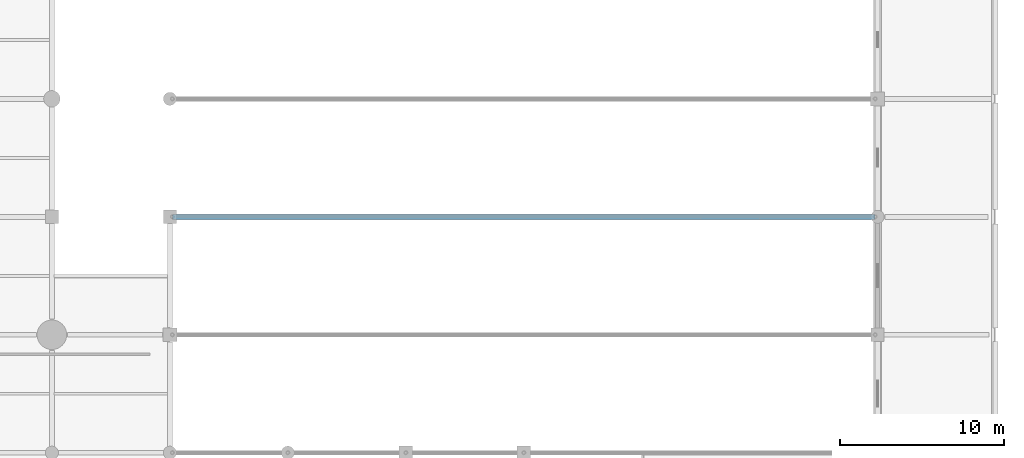
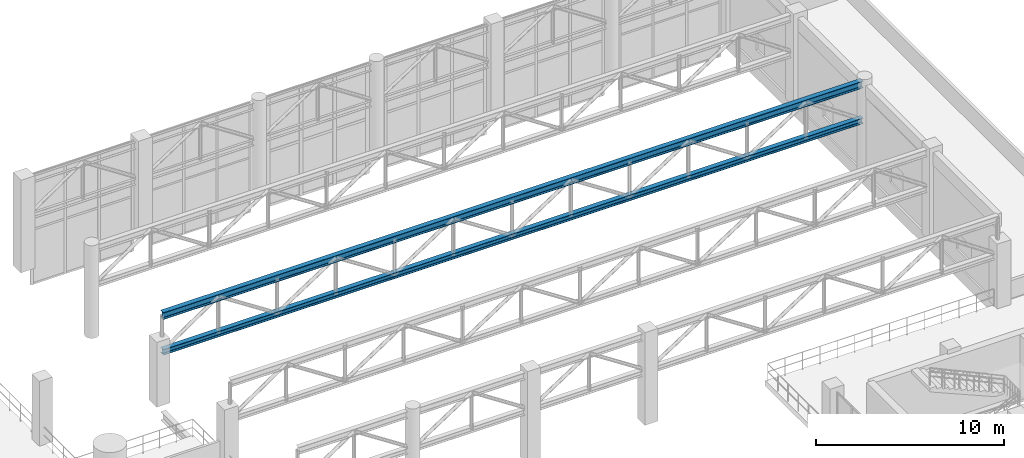
# One storey, part 96 of 153: 2 beams.
"""IFC4 building model written with IfcOpenShell, lengths in metres."""

import ifcopenshell
import ifcopenshell.guid

model = None  # the IFC model being written
_history = None  # IfcOwnerHistory: only IFC2X3 demands one
_inside = {}  # id of a spatial element -> (the spatial element, [elements in it])
_under = {}  # id of a project, library or spatial element -> (it, [spatial elements below it])
_declared = {}  # id of a project -> (the project, [libraries it declares])
_typed = {}  # id of a type object -> (the type object, [elements of that type])
_made_of = {}  # id of a material, layer set ... -> (it, [elements and type objects made of it])


def new_model(schema):
    """Start an empty IFC model of exactly this schema.

    Asked for "IFC4X3", IfcOpenShell would pick the latest addendum, in which some entities
    have other attributes; the version numbers below select the first issue.
    IFC2X3 requires an IfcOwnerHistory on every rooted entity: one is made here for all.
    """
    global model, _history
    if schema == "IFC4X3":
        model = ifcopenshell.file(schema_version=(4, 3, 0, 0))
    else:
        model = ifcopenshell.file(schema=schema)
    _inside.clear()
    _under.clear()
    _declared.clear()
    _typed.clear()
    _made_of.clear()
    _history = None
    if model.schema == "IFC2X3":
        org = make("IfcOrganization", Name="unknown")
        user = make(
            "IfcPersonAndOrganization",
            ThePerson=make("IfcPerson", FamilyName="unknown"),
            TheOrganization=org,
        )
        app = make(
            "IfcApplication",
            ApplicationDeveloper=org,
            Version="unknown",
            ApplicationFullName="unknown",
            ApplicationIdentifier="unknown",
        )
        _history = make(
            "IfcOwnerHistory",
            OwningUser=user,
            OwningApplication=app,
            ChangeAction="ADDED",
            CreationDate=0,
        )
    return model


def make(cls, **values):
    """One entity of the class cls with the attributes given. An attribute that is None is left unset."""
    return model.create_entity(
        cls, **{name: value for name, value in values.items() if value is not None}
    )


def rooted(cls, **values):
    """An entity with a GlobalId (a new one), such as an element, a storey or a relation."""
    return make(cls, GlobalId=ifcopenshell.guid.new(), OwnerHistory=_history, **values)


def si_unit(unit_type, name, prefix=None):
    """IfcSIUnit, for example si_unit("LENGTHUNIT", "METRE", prefix="MILLI")."""
    return make("IfcSIUnit", UnitType=unit_type, Prefix=prefix, Name=name)


def assignment(units):
    """IfcUnitAssignment: the units of a project."""
    return None if units is None else make("IfcUnitAssignment", Units=units)


def point(xyz):
    """IfcCartesianPoint."""
    return None if xyz is None else make("IfcCartesianPoint", Coordinates=xyz)


def direction(xyz):
    """IfcDirection."""
    return None if xyz is None else make("IfcDirection", DirectionRatios=xyz)


def frame(location, z_axis=None, x_axis=None):
    """IfcAxis2Placement3D, a coordinate frame: its origin and axes. An axis left out is left unset."""
    return make(
        "IfcAxis2Placement3D",
        Location=point(location),
        Axis=direction(z_axis),
        RefDirection=direction(x_axis),
    )


def frame_2d(location, x_axis=None):
    """IfcAxis2Placement2D, a coordinate frame in the plane: its origin and x axis."""
    return make(
        "IfcAxis2Placement2D", Location=point(location), RefDirection=direction(x_axis)
    )


def origin():
    """The frame at (0, 0, 0) with its axes left unset."""
    return frame((0.0, 0.0, 0.0))


def origin_2d():
    """The frame at (0, 0) in the plane with its x axis left unset."""
    return frame_2d((0.0, 0.0))


def place(relative_to, where):
    """IfcLocalPlacement: puts the frame where relative to a parent placement (None: the world)."""
    return make(
        "IfcLocalPlacement", PlacementRelTo=relative_to, RelativePlacement=where
    )


def context(
    kind, dimensions, precision=None, world=None, true_north=None, identifier=None
):
    """IfcGeometricRepresentationContext, for example the 3D "Model" context."""
    return make(
        "IfcGeometricRepresentationContext",
        ContextIdentifier=identifier,
        ContextType=kind,
        CoordinateSpaceDimension=dimensions,
        Precision=precision,
        WorldCoordinateSystem=world,
        TrueNorth=true_north,
    )


def subcontext(parent, identifier, kind, view, scale=None):
    """IfcGeometricRepresentationSubContext, for example "Body" below "Model"."""
    return make(
        "IfcGeometricRepresentationSubContext",
        ContextIdentifier=identifier,
        ContextType=kind,
        ParentContext=parent,
        TargetScale=scale,
        TargetView=view,
    )


def project(units=None, contexts=None):
    """IfcProject with its units and contexts."""
    return rooted(
        "IfcProject",
        Name="project",
        RepresentationContexts=contexts,
        UnitsInContext=assignment(units),
    )


def spatial(cls, under=None, at=None, **own):
    """A site, building, storey or space (cls), placed at a placement, below another one or the project."""
    s = rooted(cls, ObjectPlacement=at, **own)
    if under is not None:
        _under.setdefault(under.id(), (under, []))[1].append(s)
    return s


def profile(cls, at=None, kind="AREA", **sizes):
    """A parametric profile (cls). Its sizes go by their IFC names, for example OverallWidth=200.0."""
    return make(cls, ProfileType=kind, Position=at, **sizes)


def i_section(**sizes):
    """IfcIShapeProfileDef."""
    return profile("IfcIShapeProfileDef", **sizes)


def extrude(swept, where, along, depth):
    """IfcExtrudedAreaSolid: the profile swept, set in the frame where, extruded along a direction by depth."""
    return make(
        "IfcExtrudedAreaSolid",
        SweptArea=swept,
        Position=where,
        ExtrudedDirection=direction(along),
        Depth=depth,
    )


def shape(context_of_items, identifier, shape_type, items):
    """IfcShapeRepresentation: the items that make up one representation, for example the "Body"."""
    return make(
        "IfcShapeRepresentation",
        ContextOfItems=context_of_items,
        RepresentationIdentifier=identifier,
        RepresentationType=shape_type,
        Items=items,
    )


def material(Name=None, Category=None):
    """IfcMaterial."""
    return make("IfcMaterial", Name=Name, Category=Category)


def material_profile(
    of_material, cross_section, Name=None, Category=None, Priority=None
):
    """IfcMaterialProfile: a cross section and its material."""
    return make(
        "IfcMaterialProfile",
        Name=Name,
        Material=of_material,
        Profile=cross_section,
        Priority=Priority,
        Category=Category,
    )


def profile_set(profiles, Name=None, composite=None):
    """IfcMaterialProfileSet."""
    return make(
        "IfcMaterialProfileSet",
        Name=Name,
        MaterialProfiles=profiles,
        CompositeProfile=composite,
    )


def made_of(thing, what):
    """Note that an element or type object is made of a material, layer set ...; save() writes the relation."""
    if what is not None:
        _made_of.setdefault(what.id(), (what, []))[1].append(thing)
    return thing


def type_object(cls, material=None, **own):
    """A type object (cls), such as IfcWallType, which elements share."""
    return made_of(rooted(cls, **own), material)


def element(
    cls,
    number,
    at=None,
    inside=None,
    cuts=None,
    type_object=None,
    material=None,
    context=None,
    identifier="Body",
    shape_type=None,
    held_by="IfcProductDefinitionShape",
    body=None,
    shapes=None,
    **own,
):
    """One element of the class cls, such as IfcWall. Its Tag is "e" and its number.

    at: its placement. inside: the storey or other place that contains it. cuts: it is an
    opening in that element (IfcRelVoidsElement). A single representation is given by context,
    identifier, shape_type and body (its items); several are given by shapes. held_by: the class
    of the entity that holds the representations. save() writes the other relations.
    """
    e = rooted(cls, Tag="e%d" % number, ObjectPlacement=at, **own)
    if body is not None:
        shapes = [shape(context, identifier, shape_type, body)]
    if shapes is not None:
        e.Representation = make(held_by, Representations=shapes)
    if inside is not None:
        _inside.setdefault(inside.id(), (inside, []))[1].append(e)
    if cuts is not None:
        rooted(
            "IfcRelVoidsElement", RelatingBuildingElement=cuts, RelatedOpeningElement=e
        )
    if type_object is not None:
        _typed.setdefault(type_object.id(), (type_object, []))[1].append(e)
    return made_of(e, material)


def aggregate(whole, parts):
    """IfcRelAggregates: a whole, such as a stair, and the parts it consists of."""
    return rooted("IfcRelAggregates", RelatingObject=whole, RelatedObjects=parts)


def save(model, path):
    """Write the relations noted so far, then the file.

    IfcRelAggregates (storeys below a building ...), IfcRelContainedInSpatialStructure (elements
    in a storey), IfcRelDefinesByType, IfcRelAssociatesMaterial and IfcRelDeclares: one each for
    every whole, place, type object, material and project.
    """
    for whole, parts in _under.values():
        aggregate(whole, parts)
    for where, things in _inside.values():
        rooted(
            "IfcRelContainedInSpatialStructure",
            RelatedElements=things,
            RelatingStructure=where,
        )
    for kind, things in _typed.values():
        rooted("IfcRelDefinesByType", RelatedObjects=things, RelatingType=kind)
    for what, things in _made_of.values():
        rooted("IfcRelAssociatesMaterial", RelatedObjects=things, RelatingMaterial=what)
    for by, libraries in _declared.values():
        rooted("IfcRelDeclares", RelatingContext=by, RelatedDefinitions=libraries)
    model.write(path)


model = new_model("IFC4")

# Units and contexts
model_context = context("Model", 3, precision=1e-05, world=origin(), true_north=direction((0.0, 1.0)))
body_context = subcontext(model_context, "Body", "Model", "MODEL_VIEW")
ifc_project = project(units=[si_unit("LENGTHUNIT", "METRE"), si_unit("AREAUNIT", "SQUARE_METRE"), si_unit("VOLUMEUNIT", "CUBIC_METRE"), si_unit("PLANEANGLEUNIT", "RADIAN"), si_unit("MASSUNIT", "GRAM", prefix="KILO")], contexts=[model_context])

# Site, building, storey
site_placement = place(None, origin())
site = spatial("IfcSite", under=ifc_project, at=site_placement, CompositionType="ELEMENT")
building_placement = place(site_placement, origin())
building = spatial("IfcBuilding", under=site, at=building_placement, Name="Qandorah Velis Arena", CompositionType="ELEMENT")
storey_placement = place(building_placement, frame((0.0, 0.0, 5.39990234375)))
storey = spatial("IfcBuildingStorey", under=building, at=storey_placement, Name="L01", CompositionType="ELEMENT", Elevation=5.39990234375)

# Beams
ifc_material = material(Name="Steel S355", Category="steel")
ifc_material_profile_1 = material_profile(ifc_material, i_section(OverallWidth=0.300048828125, OverallDepth=0.360107421875, WebThickness=0.012451171875, FlangeThickness=0.0224609375, FilletRadius=0.027099609375, at=origin_2d()), Name="HEB 360")
ifc_profile_set_1 = profile_set([ifc_material_profile_1], Name="Steel S355")
beam_type_1 = type_object("IfcBeamType", Name="STR-BM-HEB360", PredefinedType="BEAM", material=ifc_profile_set_1)
beam_1_placement = place(storey_placement, frame((122.550048828125, 108.0, 3.205078125), z_axis=(1.0, 0.0, 0.0), x_axis=(0.0, 1.0, 0.0)))
element("IfcBeam", 1, at=beam_1_placement, inside=storey, type_object=beam_type_1, Name="Practice court roof truss 3 bottom chord", PredefinedType="BEAM", context=body_context, shape_type="SweptSolid", body=[
    extrude(i_section(OverallWidth=0.300048828125, OverallDepth=0.360107421875, WebThickness=0.012451171875, FlangeThickness=0.0224609375, FilletRadius=0.027099609375, at=origin_2d()), origin(), (0.0, 0.0, 1.0), 42.89990234375),
])
ifc_material_profile_2 = material_profile(ifc_material, i_section(OverallWidth=0.300048828125, OverallDepth=0.449951171875, WebThickness=0.013916015625, FlangeThickness=0.02587890625, FilletRadius=0.027099609375, at=origin_2d()), Name="HEB 450")
ifc_profile_set_2 = profile_set([ifc_material_profile_2], Name="Steel S355")
beam_type_2 = type_object("IfcBeamType", Name="STR-BM-HEB450", PredefinedType="BEAM", material=ifc_profile_set_2)
beam_2_placement = place(storey_placement, frame((122.550048828125, 108.0, 5.55517578125), z_axis=(1.0, 0.0, 0.0), x_axis=(0.0, 1.0, 0.0)))
element("IfcBeam", 2, at=beam_2_placement, inside=storey, type_object=beam_type_2, Name="Practice court roof truss 3 top chord", PredefinedType="BEAM", context=body_context, shape_type="SweptSolid", body=[
    extrude(i_section(OverallWidth=0.300048828125, OverallDepth=0.449951171875, WebThickness=0.013916015625, FlangeThickness=0.02587890625, FilletRadius=0.027099609375, at=origin_2d()), origin(), (0.0, 0.0, 1.0), 42.89990234375),
])

save(model, "model.ifc")
